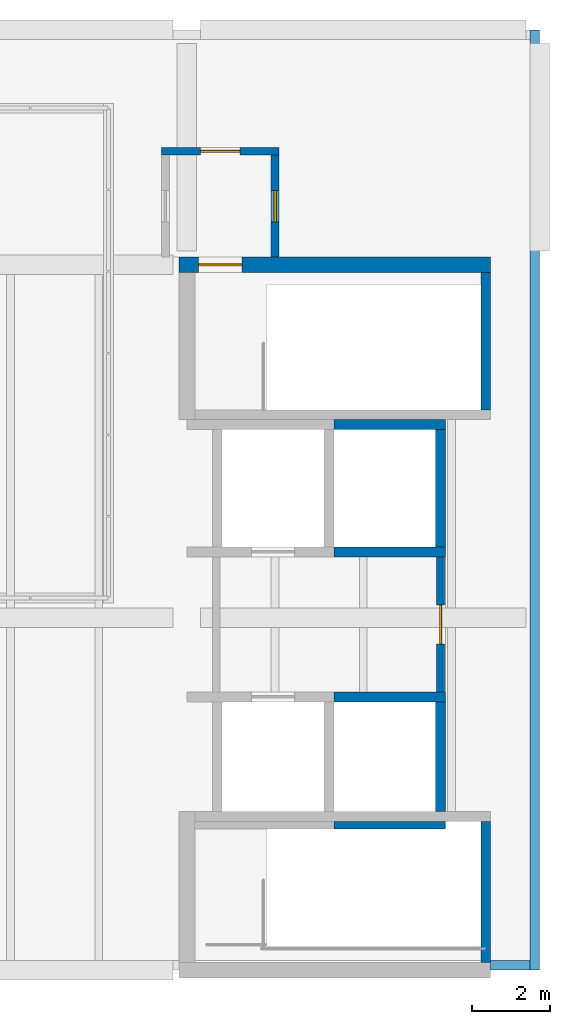
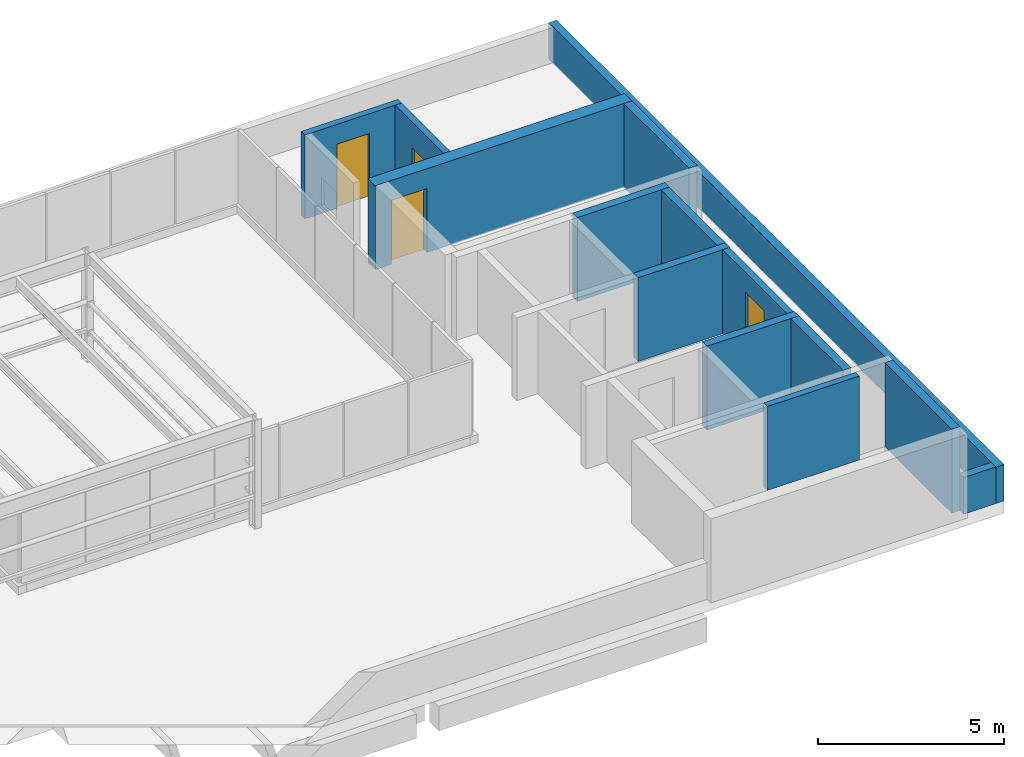
# One storey, part 3 of 5: 14 walls, 3 doors, 1 window, 4 openings.
"""IFC4 building model written with IfcOpenShell, lengths in metres."""

from ifc_helpers import new_model, si_unit, direction, frame, frame_2d, origin, place, context, subcontext, project, spatial, rectangle, extrude, material, layer, layer_set, type_object, element, fill, save


model = new_model("IFC4")

# Units and contexts
model_context = context("Model", 3, precision=1e-05, world=origin(), true_north=direction((0.0, 1.0)))
body_context = subcontext(model_context, "Body", "Model", "MODEL_VIEW")
ifc_project = project(units=[si_unit("LENGTHUNIT", "METRE"), si_unit("AREAUNIT", "SQUARE_METRE"), si_unit("VOLUMEUNIT", "CUBIC_METRE"), si_unit("PLANEANGLEUNIT", "RADIAN"), si_unit("MASSUNIT", "GRAM", prefix="KILO")], contexts=[model_context])

# Site, building, storey
site_placement = place(None, origin())
site = spatial("IfcSite", under=ifc_project, at=site_placement, CompositionType="ELEMENT")
building_placement = place(site_placement, origin())
building = spatial("IfcBuilding", under=site, at=building_placement, Name="Merrow Basin Faculty of Sciences", CompositionType="ELEMENT")
storey_placement = place(building_placement, frame((0.0, 0.0, 40.5)))
storey = spatial("IfcBuildingStorey", under=building, at=storey_placement, Name="Roof", CompositionType="ELEMENT", Elevation=40.5)

# Walls
ifc_material_1 = material(Name="Precast concrete C40/50", Category="concrete")
ifc_layer_1 = layer(ifc_material_1, 0.25)
ifc_layer_set_1 = layer_set([ifc_layer_1], Name="Parapet 250 Precast concrete C40/50")
wall_type_1 = type_object("IfcWallType", Name="Parapet 250 Precast concrete C40/50", PredefinedType="PARAPET", material=ifc_layer_set_1)
wall_1_placement = place(storey_placement, frame((53.875, 166.0, 0.0), z_axis=(0.0, 0.0, 1.0), x_axis=(0.0, -1.0, 0.0)))
element("IfcWall", 1, at=wall_1_placement, inside=storey, type_object=wall_type_1, Name="East parapet 1", PredefinedType="PARAPET", context=body_context, shape_type="SweptSolid", body=[
    extrude(rectangle(XDim=24.0, YDim=0.25, at=frame_2d((12.0, 0.0))), origin(), (0.0, 0.0, 1.0), 1.199951171875),
])
wall_2_placement = place(storey_placement, frame((53.75, 142.125, 0.0), z_axis=(0.0, 0.0, 1.0), x_axis=(-1.0, 0.0, 0.0)))
element("IfcWall", 2, at=wall_2_placement, inside=storey, type_object=wall_type_1, Name="South parapet 2", PredefinedType="PARAPET", context=body_context, shape_type="SweptSolid", body=[
    extrude(rectangle(XDim=1.0, YDim=0.25, at=frame_2d((0.5, 0.0))), origin(), (0.0, 0.0, 1.0), 1.199951171875),
])

# Wall, opening, window
ifc_material_2 = material(Name="Concrete C40/50", Category="concrete")
ifc_layer_2 = layer(ifc_material_2, 0.199951171875)
ifc_layer_set_2 = layer_set([ifc_layer_2], Name="Roof lobby wall 200 Concrete C40/50")
wall_type_2 = type_object("IfcWallType", Name="Roof lobby wall 200 Concrete C40/50", PredefinedType="SOLIDWALL", material=ifc_layer_set_2)
wall_3_placement = place(storey_placement, frame((47.25, 162.800048828125, 0.0), z_axis=(0.0, 0.0, 1.0), x_axis=(0.0, -1.0, 0.0)))
wall_3 = element("IfcWall", 3, at=wall_3_placement, inside=storey, type_object=wall_type_2, Name="Roof lobby", PredefinedType="SOLIDWALL", context=body_context, shape_type="SweptSolid", body=[
    extrude(rectangle(XDim=2.60009765625, YDim=0.199951171875, at=frame_2d((1.300048828125, 0.0))), origin(), (0.0, 0.0, 1.0), 2.75),
])
opening_1_placement = place(wall_3_placement, frame((0.89990234375, 0.0, 1.0)))
opening_1 = element("IfcOpeningElement", 4, at=opening_1_placement, cuts=wall_3, Name="Opening WN4", PredefinedType="OPENING", context=body_context, shape_type="SweptSolid", body=[
    extrude(rectangle(XDim=0.800048828125, YDim=0.89990234375, at=frame_2d((0.39990234375, 0.449951171875))), frame((0.0, 0.10986328125, 0.0), z_axis=(0.0, -1.0, 0.0), x_axis=(1.0, 0.0, 0.0)), (0.0, 0.0, 1.0), 0.219970703125),
])
ifc_material_3 = material(Name="Low-E double glazing", Category="glass")
window_type = type_object("IfcWindowType", Name="Roof lobby window 800 x 900", PartitioningType="SINGLE_PANEL", PredefinedType="WINDOW", material=ifc_material_3)
window_placement = place(opening_1_placement, origin())
window = element("IfcWindow", 5, at=window_placement, inside=storey, type_object=window_type, Name="Roof lobby window", OverallHeight=0.89990234375, OverallWidth=0.800048828125, PartitioningType="SINGLE_PANEL", PredefinedType="WINDOW", context=body_context, shape_type="SweptSolid", body=[
    extrude(rectangle(XDim=0.800048828125, YDim=0.89990234375, at=frame_2d((0.39990234375, 0.449951171875))), frame((0.0, 0.030029296875, 0.0), z_axis=(0.0, -1.0, 0.0), x_axis=(1.0, 0.0, 0.0)), (0.0, 0.0, 1.0), 0.06005859375),
])
fill(opening_1, window)

# Wall, opening, door
wall_4_placement = place(storey_placement, frame((44.35009765625, 162.89990234375, 0.0), z_axis=(0.0, 0.0, 1.0), x_axis=(1.0, 0.0, 0.0)))
wall_4 = element("IfcWall", 6, at=wall_4_placement, inside=storey, type_object=wall_type_2, Name="Roof lobby", PredefinedType="SOLIDWALL", context=body_context, shape_type="SweptSolid", body=[
    extrude(rectangle(XDim=3.0, YDim=0.199951171875, at=frame_2d((1.5, 0.0))), origin(), (0.0, 0.0, 1.0), 2.75),
])
opening_2_placement = place(wall_4_placement, frame((1.0, 0.0, 0.0)))
opening_2 = element("IfcOpeningElement", 7, at=opening_2_placement, cuts=wall_4, Name="Opening D99T002", PredefinedType="OPENING", context=body_context, shape_type="SweptSolid", body=[
    extrude(rectangle(XDim=1.0, YDim=2.10009765625, at=frame_2d((0.5, 1.050048828125))), frame((0.0, 0.10986328125, 0.0), z_axis=(0.0, -1.0, 0.0), x_axis=(1.0, 0.0, 0.0)), (0.0, 0.0, 1.0), 0.219970703125),
])
ifc_material_4 = material(Name="Fire-rated steel door", Category="steel")
door_type_1 = type_object("IfcDoorType", Name="Fire door FD60 1000 x 2100", OperationType="NOTDEFINED", PredefinedType="DOOR", material=ifc_material_4)
door_1_placement = place(opening_2_placement, origin())
door_1 = element("IfcDoor", 8, at=door_1_placement, inside=storey, type_object=door_type_1, Name="Roof access door", OperationType="SINGLE_SWING_RIGHT", OverallHeight=2.10009765625, OverallWidth=1.0, PredefinedType="DOOR", context=body_context, shape_type="SweptSolid", body=[
    extrude(rectangle(XDim=1.0, YDim=2.10009765625, at=frame_2d((0.5, 1.050048828125))), frame((0.0, 0.02490234375, 0.0), z_axis=(0.0, -1.0, 0.0), x_axis=(1.0, 0.0, 0.0)), (0.0, 0.0, 1.0), 0.050048828125),
])
fill(opening_2, door_1)

wall_5_placement = place(storey_placement, frame((51.47509765625, 152.550048828125, 0.0), z_axis=(0.0, 0.0, 1.0), x_axis=(0.0, -1.0, 0.0)))
wall_5 = element("IfcWall", 9, at=wall_5_placement, inside=storey, type_object=wall_type_2, Name="Roof lift lobby", PredefinedType="SOLIDWALL", context=body_context, shape_type="SweptSolid", body=[
    extrude(rectangle(XDim=3.449951171875, YDim=0.199951171875, at=frame_2d((1.72509765625, 0.0))), origin(), (0.0, 0.0, 1.0), 2.75),
])
opening_3_placement = place(wall_5_placement, frame((1.22509765625, 0.0, 0.0)))
opening_3 = element("IfcOpeningElement", 10, at=opening_3_placement, cuts=wall_5, Name="Opening D99T003", PredefinedType="OPENING", context=body_context, shape_type="SweptSolid", body=[
    extrude(rectangle(XDim=1.0, YDim=2.10009765625, at=frame_2d((0.5, 1.050048828125))), frame((0.0, 0.10986328125, 0.0), z_axis=(0.0, -1.0, 0.0), x_axis=(1.0, 0.0, 0.0)), (0.0, 0.0, 1.0), 0.219970703125),
])
door_2_placement = place(opening_3_placement, origin())
door_2 = element("IfcDoor", 11, at=door_2_placement, inside=storey, type_object=door_type_1, Name="Roof access door", OperationType="SINGLE_SWING_RIGHT", OverallHeight=2.10009765625, OverallWidth=1.0, PredefinedType="DOOR", context=body_context, shape_type="SweptSolid", body=[
    extrude(rectangle(XDim=1.0, YDim=2.10009765625, at=frame_2d((0.5, 1.050048828125))), frame((0.0, 0.02490234375, 0.0), z_axis=(0.0, -1.0, 0.0), x_axis=(1.0, 0.0, 0.0)), (0.0, 0.0, 1.0), 0.050048828125),
])
fill(opening_3, door_2)

# Walls
ifc_material_5 = material(Name="Concrete C40/50", Category="concrete")
ifc_layer_3 = layer(ifc_material_5, 0.199951171875)
ifc_layer_set_3 = layer_set([ifc_layer_3], Name="Shear wall 200 Concrete C40/50")
wall_type_3 = type_object("IfcWallType", Name="Shear wall 200 Concrete C40/50", PredefinedType="SHEAR", material=ifc_layer_set_3)
wall_6_placement = place(storey_placement, frame((48.75, 145.699951171875, 0.0), z_axis=(0.0, 0.0, 1.0), x_axis=(1.0, 0.0, 0.0)))
element("IfcWall", 12, at=wall_6_placement, inside=storey, type_object=wall_type_3, Name="SW6 Roof 020", PredefinedType="SHEAR", context=body_context, shape_type="SweptSolid", body=[
    extrude(rectangle(XDim=2.85009765625, YDim=0.199951171875, at=frame_2d((1.425048828125, 0.0))), origin(), (0.0, 0.0, 1.0), 2.75),
])
ifc_material_6 = material(Name="Concrete C40/50", Category="concrete")
ifc_layer_4 = layer(ifc_material_6, 0.25)
ifc_layer_set_4 = layer_set([ifc_layer_4], Name="Shear wall 250 Concrete C40/50")
wall_type_4 = type_object("IfcWallType", Name="Shear wall 250 Concrete C40/50", PredefinedType="SHEAR", material=ifc_layer_set_4)
wall_7_placement = place(storey_placement, frame((52.625, 156.300048828125, 0.0), z_axis=(0.0, 0.0, 1.0), x_axis=(0.0, 1.0, 0.0)))
element("IfcWall", 13, at=wall_7_placement, inside=storey, type_object=wall_type_4, Name="SW2 Roof 004", PredefinedType="SHEAR", context=body_context, shape_type="SweptSolid", body=[
    extrude(rectangle(XDim=3.5, YDim=0.25, at=frame_2d((1.75, 0.0))), origin(), (0.0, 0.0, 1.0), 2.75),
])
wall_8_placement = place(storey_placement, frame((52.625, 142.199951171875, 0.0), z_axis=(0.0, 0.0, 1.0), x_axis=(0.0, 1.0, 0.0)))
element("IfcWall", 14, at=wall_8_placement, inside=storey, type_object=wall_type_4, Name="SW2 Roof 008", PredefinedType="SHEAR", context=body_context, shape_type="SweptSolid", body=[
    extrude(rectangle(XDim=3.60009765625, YDim=0.25, at=frame_2d((1.800048828125, 0.0))), origin(), (0.0, 0.0, 1.0), 2.75),
])
for number, where, z_axis, x_axis, name in (
    (15, (48.75, 152.675048828125, 0.0), (0.0, 0.0, 1.0), (1.0, 0.0, 0.0), "SW2 Roof 013"),
    (16, (48.75, 155.925048828125, 0.0), (0.0, 0.0, 1.0), (1.0, 0.0, 0.0), "SW2 Roof 014"),
):
    element("IfcWall", number, at=place(storey_placement, frame(where, z_axis=z_axis, x_axis=x_axis)), inside=storey, type_object=wall_type_4, Name=name, PredefinedType="SHEAR", context=body_context, shape_type="SweptSolid", body=[
        extrude(rectangle(XDim=2.85009765625, YDim=0.25, at=frame_2d((1.425048828125, 0.0))), origin(), (0.0, 0.0, 1.0), 2.75),
    ])
wall_9_placement = place(storey_placement, frame((51.47509765625, 152.800048828125, 0.0), z_axis=(0.0, 0.0, 1.0), x_axis=(0.0, 1.0, 0.0)))
element("IfcWall", 17, at=wall_9_placement, inside=storey, type_object=wall_type_4, Name="SW2 Roof 015", PredefinedType="SHEAR", context=body_context, shape_type="SweptSolid", body=[
    extrude(rectangle(XDim=3.0, YDim=0.25, at=frame_2d((1.5, 0.0))), origin(), (0.0, 0.0, 1.0), 2.75),
])
wall_10_placement = place(storey_placement, frame((48.75, 148.97509765625, 0.0), z_axis=(0.0, 0.0, 1.0), x_axis=(1.0, 0.0, 0.0)))
element("IfcWall", 18, at=wall_10_placement, inside=storey, type_object=wall_type_4, Name="SW2 Roof 021", PredefinedType="SHEAR", context=body_context, shape_type="SweptSolid", body=[
    extrude(rectangle(XDim=2.85009765625, YDim=0.25, at=frame_2d((1.425048828125, 0.0))), origin(), (0.0, 0.0, 1.0), 2.75),
])
wall_11_placement = place(storey_placement, frame((51.47509765625, 146.050048828125, 0.0), z_axis=(0.0, 0.0, 1.0), x_axis=(0.0, 1.0, 0.0)))
element("IfcWall", 19, at=wall_11_placement, inside=storey, type_object=wall_type_4, Name="SW2 Roof 022", PredefinedType="SHEAR", context=body_context, shape_type="SweptSolid", body=[
    extrude(rectangle(XDim=2.800048828125, YDim=0.25, at=frame_2d((1.39990234375, 0.0))), origin(), (0.0, 0.0, 1.0), 2.75),
])

# Wall, opening, door
ifc_material_7 = material(Name="Concrete C40/50", Category="concrete")
ifc_layer_5 = layer(ifc_material_7, 0.39990234375)
ifc_layer_set_5 = layer_set([ifc_layer_5], Name="Shear wall 400 Concrete C40/50")
wall_type_5 = type_object("IfcWallType", Name="Shear wall 400 Concrete C40/50", PredefinedType="SHEAR", material=ifc_layer_set_5)
wall_12_placement = place(storey_placement, frame((44.800048828125, 160.0, 0.0), z_axis=(0.0, 0.0, 1.0), x_axis=(1.0, 0.0, 0.0)))
wall_12 = element("IfcWall", 20, at=wall_12_placement, inside=storey, type_object=wall_type_5, Name="SW1 Roof 002", PredefinedType="SHEAR", context=body_context, shape_type="SweptSolid", body=[
    extrude(rectangle(XDim=7.949951171875, YDim=0.39990234375, at=frame_2d((3.97509765625, 0.0))), origin(), (0.0, 0.0, 1.0), 2.75),
])
opening_4_placement = place(wall_12_placement, frame((0.5, 0.0, 0.0)))
opening_4 = element("IfcOpeningElement", 21, at=opening_4_placement, cuts=wall_12, Name="Opening D99T001", PredefinedType="OPENING", context=body_context, shape_type="SweptSolid", body=[
    extrude(rectangle(XDim=1.10009765625, YDim=2.10009765625, at=frame_2d((0.550048828125, 1.050048828125))), frame((0.0, 0.2099609375, 0.0), z_axis=(0.0, -1.0, 0.0), x_axis=(1.0, 0.0, 0.0)), (0.0, 0.0, 1.0), 0.419921875),
])
ifc_material_8 = material(Name="Fire-rated steel door", Category="steel")
door_type_2 = type_object("IfcDoorType", Name="Fire door FD90 1100 x 2100", OperationType="NOTDEFINED", PredefinedType="DOOR", material=ifc_material_8)
door_3_placement = place(opening_4_placement, origin())
door_3 = element("IfcDoor", 22, at=door_3_placement, inside=storey, type_object=door_type_2, Name="Roof stair door", OperationType="SINGLE_SWING_LEFT", OverallHeight=2.10009765625, OverallWidth=1.10009765625, PredefinedType="DOOR", context=body_context, shape_type="SweptSolid", body=[
    extrude(rectangle(XDim=1.10009765625, YDim=2.10009765625, at=frame_2d((0.550048828125, 1.050048828125))), frame((0.0, 0.02490234375, 0.0), z_axis=(0.0, -1.0, 0.0), x_axis=(1.0, 0.0, 0.0)), (0.0, 0.0, 1.0), 0.050048828125),
])
fill(opening_4, door_3)

save(model, "model.ifc")
